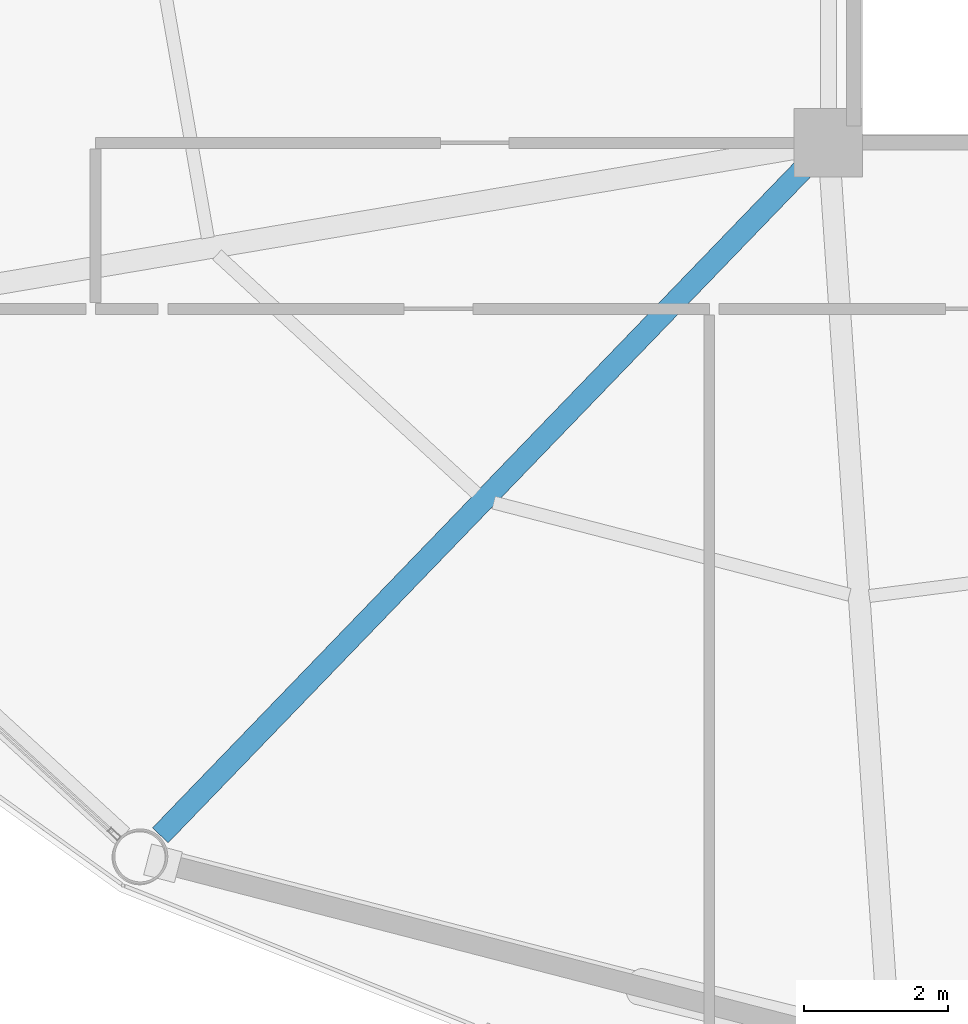
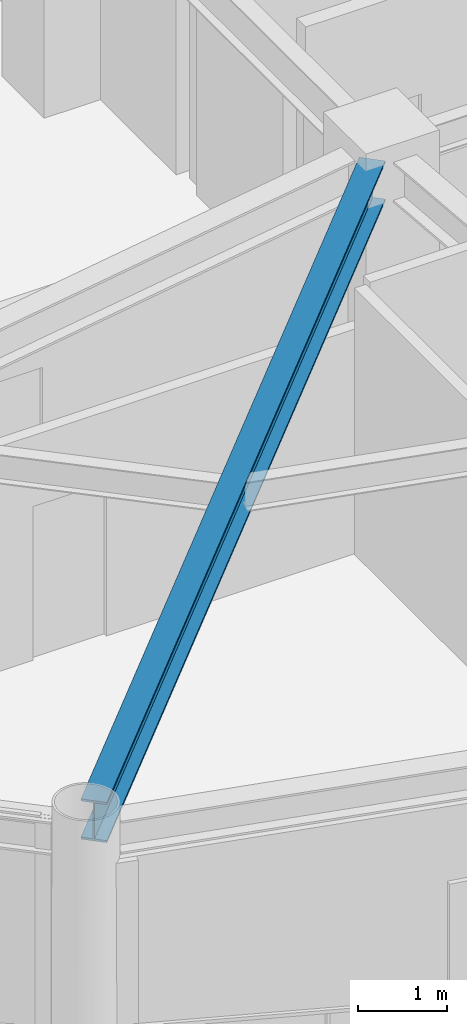
# One storey, part 4 of 27: 1 beam.
"""IFC4 building model written with IfcOpenShell, lengths in metres."""

from ifc_helpers import new_model, si_unit, direction, frame, origin, origin_2d, place, context, subcontext, project, spatial, i_section, extrude, material, material_profile, profile_set, type_object, element, save


model = new_model("IFC4")

# Units and contexts
model_context = context("Model", 3, precision=1e-05, world=origin(), true_north=direction((0.0, 1.0)))
body_context = subcontext(model_context, "Body", "Model", "MODEL_VIEW")
ifc_project = project(units=[si_unit("LENGTHUNIT", "METRE"), si_unit("AREAUNIT", "SQUARE_METRE"), si_unit("VOLUMEUNIT", "CUBIC_METRE"), si_unit("PLANEANGLEUNIT", "RADIAN"), si_unit("MASSUNIT", "GRAM", prefix="KILO")], contexts=[model_context])

# Site, building, storey
site_placement = place(None, origin())
site = spatial("IfcSite", under=ifc_project, at=site_placement, CompositionType="ELEMENT")
building_placement = place(site_placement, origin())
building = spatial("IfcBuilding", under=site, at=building_placement, Name="Varnakorn Sky Granary", CompositionType="ELEMENT")
storey_placement = place(building_placement, frame((0.0, 0.0, 142.199951171875)))
storey = spatial("IfcBuildingStorey", under=building, at=storey_placement, Name="L35", CompositionType="ELEMENT", Elevation=142.199951171875)

# Beam
ifc_material = material(Name="Steel S355JR", Category="steel")
ifc_material_profile = material_profile(ifc_material, i_section(OverallWidth=0.300048828125, OverallDepth=0.550048828125, WebThickness=0.014892578125, FlangeThickness=0.029052734375, at=origin_2d()), Name="HE 550 B")
ifc_profile_set = profile_set([ifc_material_profile], Name="Steel S355JR")
beam_type = type_object("IfcBeamType", Name="BM-RAD-Z3", PredefinedType="BEAM", material=ifc_profile_set)
beam_placement = place(storey_placement, frame((-2.6416015625, -6.90234375, 3.364990234375), z_axis=(-0.694301466823, -0.719684287148, 0.0), x_axis=(0.719684287148, -0.694301466823, 0.0)))
element("IfcBeam", 1, at=beam_placement, inside=storey, type_object=beam_type, Name="Radial Floor Girder RG09 L35", PredefinedType="BEAM", context=body_context, shape_type="SweptSolid", body=[
    extrude(i_section(OverallWidth=0.300048828125, OverallDepth=0.550048828125, WebThickness=0.014892578125, FlangeThickness=0.029052734375, at=origin_2d()), origin(), (0.0, 0.0, 1.0), 12.90771484375),
])

save(model, "model.ifc")
